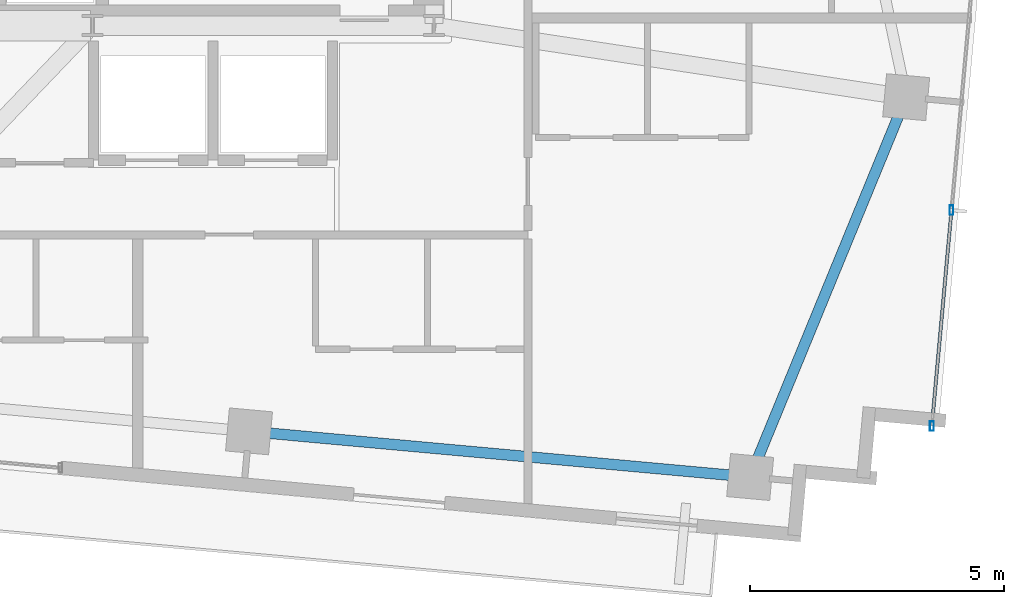
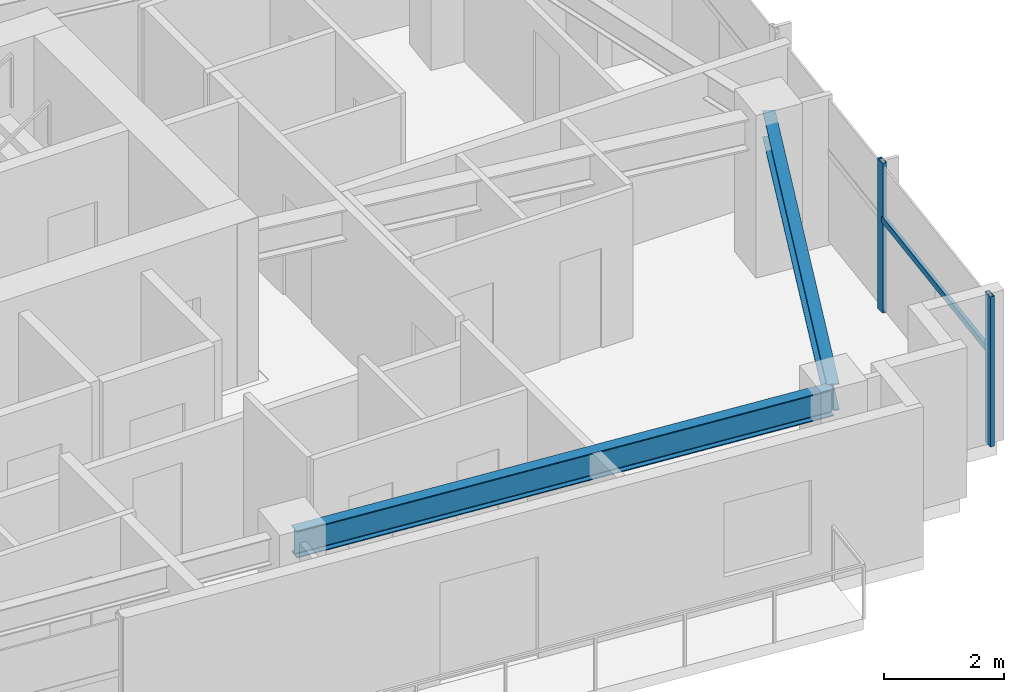
# One storey, part 12 of 22: 3 members, 2 beams, 1 element without a shape of its own.
"""IFC4 building model written with IfcOpenShell, lengths in metres."""

from ifc_helpers import new_model, si_unit, direction, frame, origin, origin_2d, place, context, subcontext, project, spatial, hollow_rectangle, i_section, extrude, source, transform, mapped, material, material_profile, profile_set, type_object, type_shapes, element, aggregate, save


model = new_model("IFC4")

# Units and contexts
model_context = context("Model", 3, precision=1e-05, world=origin(), true_north=direction((0.0, 1.0)))
body_context = subcontext(model_context, "Body", "Model", "MODEL_VIEW")
ifc_project = project(units=[si_unit("LENGTHUNIT", "METRE"), si_unit("AREAUNIT", "SQUARE_METRE"), si_unit("VOLUMEUNIT", "CUBIC_METRE"), si_unit("PLANEANGLEUNIT", "RADIAN"), si_unit("MASSUNIT", "GRAM", prefix="KILO")], contexts=[model_context])

# Site, building, storey
site_placement = place(None, origin())
site = spatial("IfcSite", under=ifc_project, at=site_placement, CompositionType="ELEMENT")
building_placement = place(site_placement, origin())
building = spatial("IfcBuilding", under=site, at=building_placement, Name="Astriad Promenade Condominiums", CompositionType="ELEMENT")
storey_placement = place(building_placement, frame((0.0, 0.0, 233.10009765625)))
storey = spatial("IfcBuildingStorey", under=building, at=storey_placement, Name="L67", CompositionType="ELEMENT", Elevation=233.10009765625)

# Beams
ifc_material_1 = material(Name="Steel ASTM A992 Grade 50", Category="steel")
ifc_material_profile_1 = material_profile(ifc_material_1, i_section(OverallWidth=0.210693359375, OverallDepth=0.53955078125, WebThickness=0.01171875, FlangeThickness=0.018798828125, FilletRadius=0.0166015625, at=origin_2d()), Name="W21X73")
ifc_profile_set_1 = profile_set([ifc_material_profile_1], Name="Steel ASTM A992 Grade 50")
beam_type = type_object("IfcBeamType", Name="STEEL SPANDREL BEAM W21X73", PredefinedType="SPANDREL", material=ifc_profile_set_1)
shared_shape_1 = source(origin(), body_context, "Body", "SweptSolid", [
    extrude(i_section(OverallWidth=0.210693359375, OverallDepth=0.53955078125, WebThickness=0.01171875, FlangeThickness=0.018798828125, FilletRadius=0.0166015625, at=origin_2d()), origin(), (0.0, 0.0, 1.0), 9.820068359375),
])
beam_1_placement = place(storey_placement, frame((41.99951171875, 9.410888671875, 2.77001953125), z_axis=(0.995883214993, -0.090645585088, 0.0), x_axis=(0.090645585088, 0.995883214993, 0.0)))
element("IfcBeam", 1, at=beam_1_placement, inside=storey, type_object=beam_type, Name="Perimeter Spandrel Beam SP-S4-L67", PredefinedType="SPANDREL", context=body_context, shape_type="MappedRepresentation", body=[
    mapped(shared_shape_1, transform((0.0, 0.0, 0.0), scale=1.0)),
])
shared_shape_2 = source(origin(), body_context, "Body", "SweptSolid", [
    extrude(i_section(OverallWidth=0.210693359375, OverallDepth=0.53955078125, WebThickness=0.01171875, FlangeThickness=0.018798828125, FilletRadius=0.0166015625, at=origin_2d()), origin(), (0.0, 0.0, 1.0), 7.998779296875),
])
type_shapes(beam_type, [shared_shape_1, shared_shape_2])
beam_2_placement = place(storey_placement, frame((51.833984375, 8.55419921875, 2.77001953125), z_axis=(0.38000513148, 0.924984378273, 0.0), x_axis=(-0.924984378273, 0.38000513148, 0.0)))
element("IfcBeam", 2, at=beam_2_placement, inside=storey, type_object=beam_type, Name="Perimeter Spandrel Beam SP-E1-L67", PredefinedType="SPANDREL", context=body_context, shape_type="MappedRepresentation", body=[
    mapped(shared_shape_2, transform((0.0, 0.0, 0.0), scale=1.0)),
])

# Curtain wall, members
ifc_material_2 = material(Name="Anodised aluminium Black Dark Glass Unitised", Category="aluminium")
curtain_wall_type = type_object("IfcCurtainWallType", Name="CW-B5-DARK", PredefinedType="USERDEFINED", material=ifc_material_2)
curtain_wall_placement = place(storey_placement, origin())
curtain_wall = element("IfcCurtainWall", 3, at=curtain_wall_placement, inside=storey, type_object=curtain_wall_type, Name="CW-L67-E", ObjectType="UNITISED_CURTAIN_WALL", PredefinedType="USERDEFINED")
ifc_material_3 = material(Name="Anodised aluminium 6063-T6 Black", Category="aluminium")
ifc_material_profile_2 = material_profile(ifc_material_3, hollow_rectangle(XDim=0.074951171875, YDim=0.18505859375, WallThickness=0.00439453125, at=origin_2d()), Name="ALU-MUL-75X185")
ifc_profile_set_2 = profile_set([ifc_material_profile_2], Name="Anodised aluminium 6063-T6 Black")
member_type_1 = type_object("IfcMemberType", Name="MUL-ALU-MUL-75X185", PredefinedType="MULLION", material=ifc_profile_set_2)
shared_shape_3 = source(origin(), body_context, "Body", "SweptSolid", [
    extrude(hollow_rectangle(XDim=0.074951171875, YDim=0.18505859375, WallThickness=0.00439453125, at=origin_2d()), origin(), (0.0, 0.0, 1.0), 3.039794921875),
])
type_shapes(member_type_1, [shared_shape_3])
member_1_placement = place(storey_placement, frame((55.78076171875, 13.766357421875, 0.0), z_axis=(0.0, 0.0, 1.0), x_axis=(1.0, 0.0, 0.0)))
member_1 = element("IfcMember", 4, at=member_1_placement, type_object=member_type_1, Name="CW-L67-E-MUL-02", PredefinedType="MULLION", context=body_context, shape_type="MappedRepresentation", body=[
    mapped(shared_shape_3, transform((0.0, 0.0, 0.0), scale=1.0)),
])
member_2_placement = place(storey_placement, frame((55.39404296875, 9.517333984375, 0.0), z_axis=(0.0, 0.0, 1.0), x_axis=(1.0, 0.0, 0.0)))
member_2 = element("IfcMember", 5, at=member_2_placement, type_object=member_type_1, Name="CW-L67-E-MUL-03", PredefinedType="MULLION", context=body_context, shape_type="MappedRepresentation", body=[
    mapped(shared_shape_3, transform((0.0, 0.0, 0.0), scale=1.0)),
])
ifc_material_profile_3 = material_profile(ifc_material_3, hollow_rectangle(XDim=0.06494140625, YDim=0.1298828125, WallThickness=0.00390625, at=origin_2d()), Name="ALU-TRN-65X130")
ifc_profile_set_3 = profile_set([ifc_material_profile_3], Name="Anodised aluminium 6063-T6 Black")
member_type_2 = type_object("IfcMemberType", Name="TRN-ALU-TRN-65X130", PredefinedType="USERDEFINED", material=ifc_profile_set_3)
shared_shape_4 = source(origin(), body_context, "Body", "SweptSolid", [
    extrude(hollow_rectangle(XDim=0.06494140625, YDim=0.1298828125, WallThickness=0.00390625, at=origin_2d()), origin(), (0.0, 0.0, 1.0), 4.2666015625),
])
type_shapes(member_type_2, [shared_shape_4])
member_3_placement = place(storey_placement, frame((55.78076171875, 13.766357421875, 1.884765625), z_axis=(-0.090638931954, -0.99588382054, 0.0), x_axis=(0.99588382054, -0.090638931954, 0.0)))
member_3 = element("IfcMember", 6, at=member_3_placement, type_object=member_type_2, Name="CW-L67-E-TRN-02-0", ObjectType="TRANSOM", PredefinedType="USERDEFINED", context=body_context, shape_type="MappedRepresentation", body=[
    mapped(shared_shape_4, transform((0.0, 0.0, 0.0), scale=1.0)),
])
aggregate(curtain_wall, [member_1, member_2, member_3])

save(model, "model.ifc")
